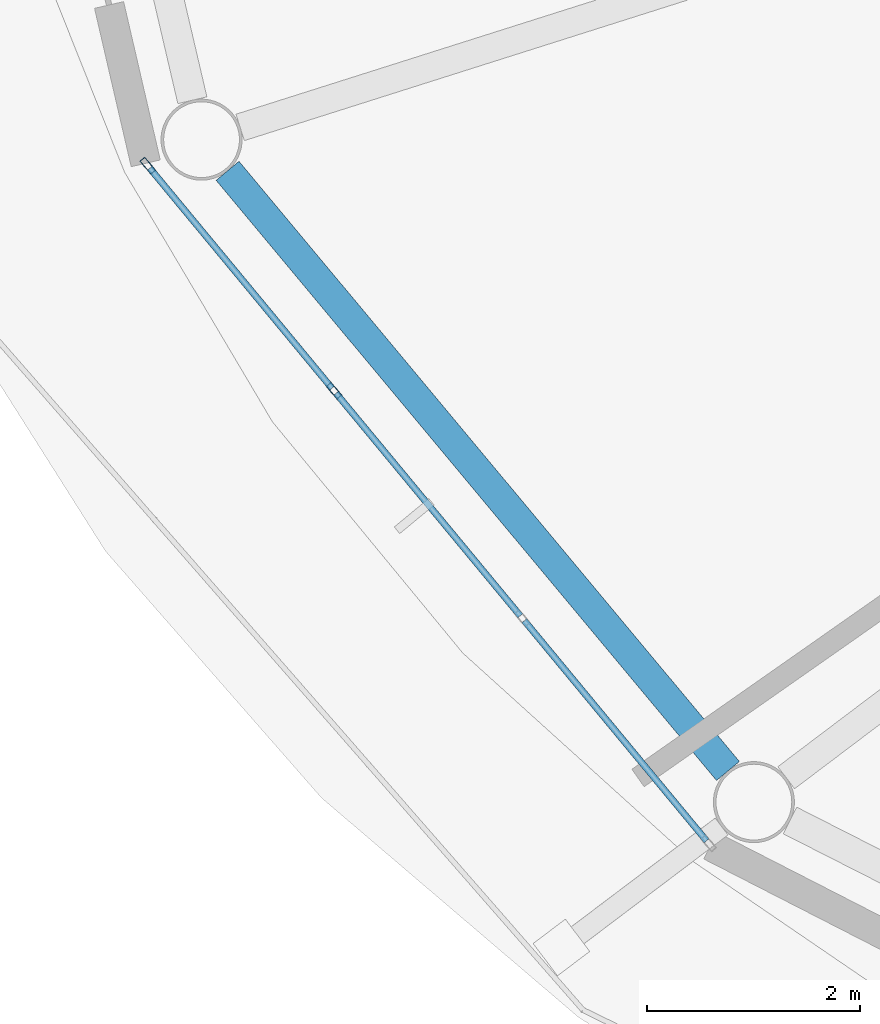
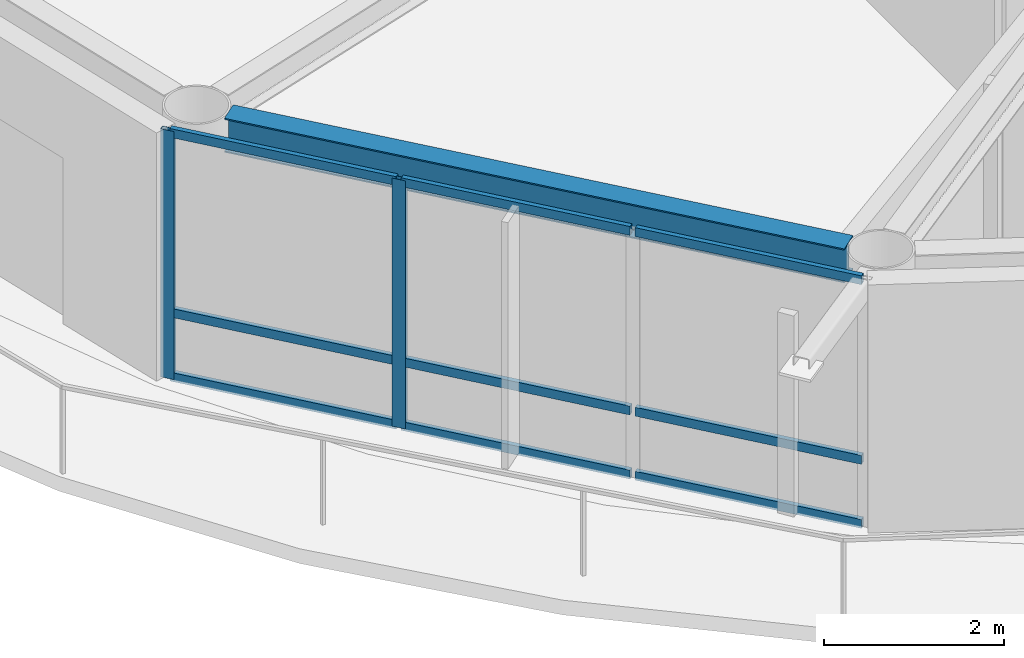
# One storey, part 3 of 23: 11 members, 1 beam, 1 element without a shape of its own.
"""IFC4 building model written with IfcOpenShell, lengths in metres."""

from ifc_helpers import new_model, si_unit, direction, frame, origin, origin_2d, place, context, subcontext, project, spatial, hollow_rectangle, i_section, extrude, material, layer, layer_set, material_profile, profile_set, type_object, element, aggregate, save


model = new_model("IFC4")

# Units and contexts
model_context = context("Model", 3, precision=1e-05, world=origin(), true_north=direction((0.0, 1.0)))
body_context = subcontext(model_context, "Body", "Model", "MODEL_VIEW")
ifc_project = project(units=[si_unit("LENGTHUNIT", "METRE"), si_unit("AREAUNIT", "SQUARE_METRE"), si_unit("VOLUMEUNIT", "CUBIC_METRE"), si_unit("PLANEANGLEUNIT", "RADIAN"), si_unit("MASSUNIT", "GRAM", prefix="KILO")], contexts=[model_context])

# Site, building, storey
site_placement = place(None, origin())
site = spatial("IfcSite", under=ifc_project, at=site_placement, CompositionType="ELEMENT")
building_placement = place(site_placement, origin())
building = spatial("IfcBuilding", under=site, at=building_placement, Name="Sarneth Arch Tower", CompositionType="ELEMENT")
storey_placement = place(building_placement, frame((0.0, 0.0, 273.0)))
storey = spatial("IfcBuildingStorey", under=building, at=storey_placement, Name="L70", CompositionType="ELEMENT", Elevation=273.0)

# Beam
ifc_material_1 = material(Name="Steel S355", Category="steel")
ifc_material_profile_1 = material_profile(ifc_material_1, i_section(OverallWidth=0.280029296875, OverallDepth=0.462890625, WebThickness=0.0107421875, FlangeThickness=0.017333984375, FilletRadius=0.01806640625, at=origin_2d()), Name="W460x113")
ifc_profile_set_1 = profile_set([ifc_material_profile_1], Name="Steel S355")
beam_type = type_object("IfcBeamType", Name="BM-RAD-460A", PredefinedType="BEAM", material=ifc_profile_set_1)
beam_placement = place(storey_placement, frame((25.0751953125, 34.35986328125, 3.138427734375), z_axis=(0.640377192996, -0.768060577487, 0.0), x_axis=(0.768060577487, 0.640377192996, 0.0)))
element("IfcBeam", 1, at=beam_placement, inside=storey, type_object=beam_type, Name="L70 Perimeter spandrel beam 10", PredefinedType="BEAM", context=body_context, shape_type="SweptSolid", body=[
    extrude(i_section(OverallWidth=0.280029296875, OverallDepth=0.462890625, WebThickness=0.0107421875, FlangeThickness=0.017333984375, FilletRadius=0.01806640625, at=origin_2d()), origin(), (0.0, 0.0, 1.0), 7.34814453125),
])

# Curtain wall, members
ifc_material_2 = material(Name="Anodised aluminium Type AA25 and solar-control low-e laminated IGU", Category="aluminium")
ifc_layer = layer(ifc_material_2, 0.179931640625)
ifc_layer_set = layer_set([ifc_layer], Name="Anodised aluminium Type AA25 and solar-control low-e laminated IGU")
curtain_wall_type = type_object("IfcCurtainWallType", Name="CW-RES-HIGH", PredefinedType="NOTDEFINED", material=ifc_layer_set)
curtain_wall_placement = place(storey_placement, origin())
curtain_wall = element("IfcCurtainWall", 2, at=curtain_wall_placement, inside=storey, type_object=curtain_wall_type, Name="L70 Unitised curtain wall facet 10", PredefinedType="NOTDEFINED")
ifc_material_3 = material(Name="Anodised Aluminium 6063-T6", Category="aluminium")
ifc_material_profile_2 = material_profile(ifc_material_3, hollow_rectangle(XDim=0.06005859375, YDim=0.159912109375, WallThickness=0.00390625, at=origin_2d()), Name="AL-MULL-160x60x4")
ifc_profile_set_2 = profile_set([ifc_material_profile_2], Name="Anodised Aluminium 6063-T6")
member_type_1 = type_object("IfcMemberType", Name="CW-MULLION", PredefinedType="MULLION", material=ifc_profile_set_2)
member_1_placement = place(storey_placement, frame((24.325439453125, 34.407470703125, 0.0), z_axis=(0.0, 0.0, 1.0), x_axis=(0.770359245933, 0.637610094184, 0.0)))
member_1 = element("IfcMember", 3, at=member_1_placement, type_object=member_type_1, Name="CW-SYS-6 mullion 1", PredefinedType="MULLION", context=body_context, shape_type="SweptSolid", body=[
    extrude(hollow_rectangle(XDim=0.06005859375, YDim=0.159912109375, WallThickness=0.00390625, at=origin_2d()), origin(), (0.0, 0.0, 1.0), 3.3701171875),
])
member_2_placement = place(storey_placement, frame((26.07666015625, 32.29150390625, 0.0), z_axis=(0.0, 0.0, 1.0), x_axis=(0.770359245933, 0.637610094184, 0.0)))
member_2 = element("IfcMember", 4, at=member_2_placement, type_object=member_type_1, Name="CW-SYS-6 mullion 2", PredefinedType="MULLION", context=body_context, shape_type="SweptSolid", body=[
    extrude(hollow_rectangle(XDim=0.06005859375, YDim=0.159912109375, WallThickness=0.00390625, at=origin_2d()), origin(), (0.0, 0.0, 1.0), 3.3701171875),
])
ifc_material_4 = material(Name="Anodised Aluminium 6063-T6", Category="aluminium")
ifc_material_profile_3 = material_profile(ifc_material_4, hollow_rectangle(XDim=0.06005859375, YDim=0.1201171875, WallThickness=0.00390625, at=origin_2d()), Name="AL-TRAN-120x60x4")
ifc_profile_set_3 = profile_set([ifc_material_profile_3], Name="Anodised Aluminium 6063-T6")
member_type_2 = type_object("IfcMemberType", Name="CW-TRANSOM", PredefinedType="USERDEFINED", material=ifc_profile_set_3)
member_3_placement = place(storey_placement, frame((24.344482421875, 34.38427734375, 0.030029296875), z_axis=(0.637651400067, -0.770325056059, 0.0), x_axis=(0.770325056059, 0.637651400067, 0.0)))
member_3 = element("IfcMember", 5, at=member_3_placement, type_object=member_type_2, Name="CW-SYS-6 transom 1.1", ObjectType="TRANSOM", PredefinedType="USERDEFINED", context=body_context, shape_type="SweptSolid", body=[
    extrude(hollow_rectangle(XDim=0.06005859375, YDim=0.1201171875, WallThickness=0.00390625, at=origin_2d()), origin(), (0.0, 0.0, 1.0), 2.6865234375),
])
member_4_placement = place(storey_placement, frame((24.344482421875, 34.38427734375, 0.89990234375), z_axis=(0.637651400067, -0.770325056059, 0.0), x_axis=(0.770325056059, 0.637651400067, 0.0)))
member_4 = element("IfcMember", 6, at=member_4_placement, type_object=member_type_2, Name="CW-SYS-6 transom 1.2", ObjectType="TRANSOM", PredefinedType="USERDEFINED", context=body_context, shape_type="SweptSolid", body=[
    extrude(hollow_rectangle(XDim=0.06005859375, YDim=0.1201171875, WallThickness=0.00390625, at=origin_2d()), origin(), (0.0, 0.0, 1.0), 2.6865234375),
])
member_5_placement = place(storey_placement, frame((24.344482421875, 34.38427734375, 3.340087890625), z_axis=(0.637651400067, -0.770325056059, 0.0), x_axis=(0.770325056059, 0.637651400067, 0.0)))
member_5 = element("IfcMember", 7, at=member_5_placement, type_object=member_type_2, Name="CW-SYS-6 transom 1.3", ObjectType="TRANSOM", PredefinedType="USERDEFINED", context=body_context, shape_type="SweptSolid", body=[
    extrude(hollow_rectangle(XDim=0.06005859375, YDim=0.1201171875, WallThickness=0.00390625, at=origin_2d()), origin(), (0.0, 0.0, 1.0), 2.6865234375),
])
member_6_placement = place(storey_placement, frame((26.095703125, 32.268310546875, 0.030029296875), z_axis=(0.637617371902, -0.770353222261, 0.0), x_axis=(0.770353222261, 0.637617371902, 0.0)))
member_6 = element("IfcMember", 8, at=member_6_placement, type_object=member_type_2, Name="CW-SYS-6 transom 2.1", ObjectType="TRANSOM", PredefinedType="USERDEFINED", context=body_context, shape_type="SweptSolid", body=[
    extrude(hollow_rectangle(XDim=0.06005859375, YDim=0.1201171875, WallThickness=0.00390625, at=origin_2d()), origin(), (0.0, 0.0, 1.0), 2.716552734375),
])
member_7_placement = place(storey_placement, frame((26.095703125, 32.268310546875, 0.89990234375), z_axis=(0.637617371902, -0.770353222261, 0.0), x_axis=(0.770353222261, 0.637617371902, 0.0)))
member_7 = element("IfcMember", 9, at=member_7_placement, type_object=member_type_2, Name="CW-SYS-6 transom 2.2", ObjectType="TRANSOM", PredefinedType="USERDEFINED", context=body_context, shape_type="SweptSolid", body=[
    extrude(hollow_rectangle(XDim=0.06005859375, YDim=0.1201171875, WallThickness=0.00390625, at=origin_2d()), origin(), (0.0, 0.0, 1.0), 2.716552734375),
])
member_8_placement = place(storey_placement, frame((26.095703125, 32.268310546875, 3.340087890625), z_axis=(0.637617371902, -0.770353222261, 0.0), x_axis=(0.770353222261, 0.637617371902, 0.0)))
member_8 = element("IfcMember", 10, at=member_8_placement, type_object=member_type_2, Name="CW-SYS-6 transom 2.3", ObjectType="TRANSOM", PredefinedType="USERDEFINED", context=body_context, shape_type="SweptSolid", body=[
    extrude(hollow_rectangle(XDim=0.06005859375, YDim=0.1201171875, WallThickness=0.00390625, at=origin_2d()), origin(), (0.0, 0.0, 1.0), 2.716552734375),
])
member_9_placement = place(storey_placement, frame((27.8662109375, 30.12939453125, 0.030029296875), z_axis=(0.637606765719, -0.770362000821, 0.0), x_axis=(0.770362000821, 0.637606765719, 0.0)))
member_9 = element("IfcMember", 11, at=member_9_placement, type_object=member_type_2, Name="CW-SYS-6 transom 3.1", ObjectType="TRANSOM", PredefinedType="USERDEFINED", context=body_context, shape_type="SweptSolid", body=[
    extrude(hollow_rectangle(XDim=0.06005859375, YDim=0.1201171875, WallThickness=0.00390625, at=origin_2d()), origin(), (0.0, 0.0, 1.0), 2.686767578125),
])
member_10_placement = place(storey_placement, frame((27.8662109375, 30.12939453125, 0.89990234375), z_axis=(0.637606765719, -0.770362000821, 0.0), x_axis=(0.770362000821, 0.637606765719, 0.0)))
member_10 = element("IfcMember", 12, at=member_10_placement, type_object=member_type_2, Name="CW-SYS-6 transom 3.2", ObjectType="TRANSOM", PredefinedType="USERDEFINED", context=body_context, shape_type="SweptSolid", body=[
    extrude(hollow_rectangle(XDim=0.06005859375, YDim=0.1201171875, WallThickness=0.00390625, at=origin_2d()), origin(), (0.0, 0.0, 1.0), 2.686767578125),
])
member_11_placement = place(storey_placement, frame((27.8662109375, 30.12939453125, 3.340087890625), z_axis=(0.637606765719, -0.770362000821, 0.0), x_axis=(0.770362000821, 0.637606765719, 0.0)))
member_11 = element("IfcMember", 13, at=member_11_placement, type_object=member_type_2, Name="CW-SYS-6 transom 3.3", ObjectType="TRANSOM", PredefinedType="USERDEFINED", context=body_context, shape_type="SweptSolid", body=[
    extrude(hollow_rectangle(XDim=0.06005859375, YDim=0.1201171875, WallThickness=0.00390625, at=origin_2d()), origin(), (0.0, 0.0, 1.0), 2.686767578125),
])
aggregate(curtain_wall, [member_1, member_2, member_3, member_4, member_5, member_6, member_7, member_8, member_9, member_10, member_11])

save(model, "model.ifc")
